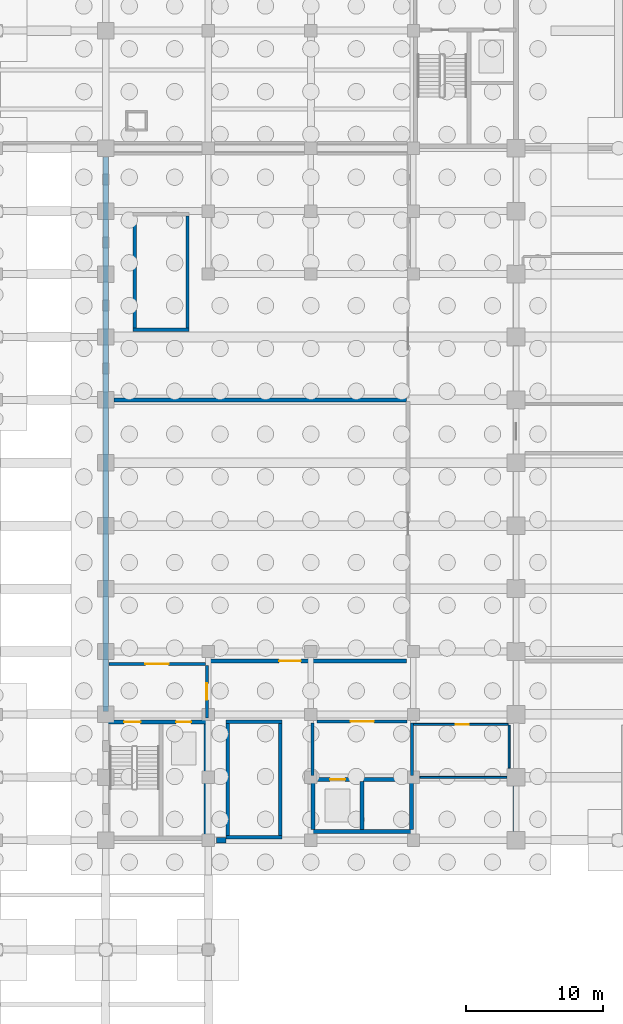
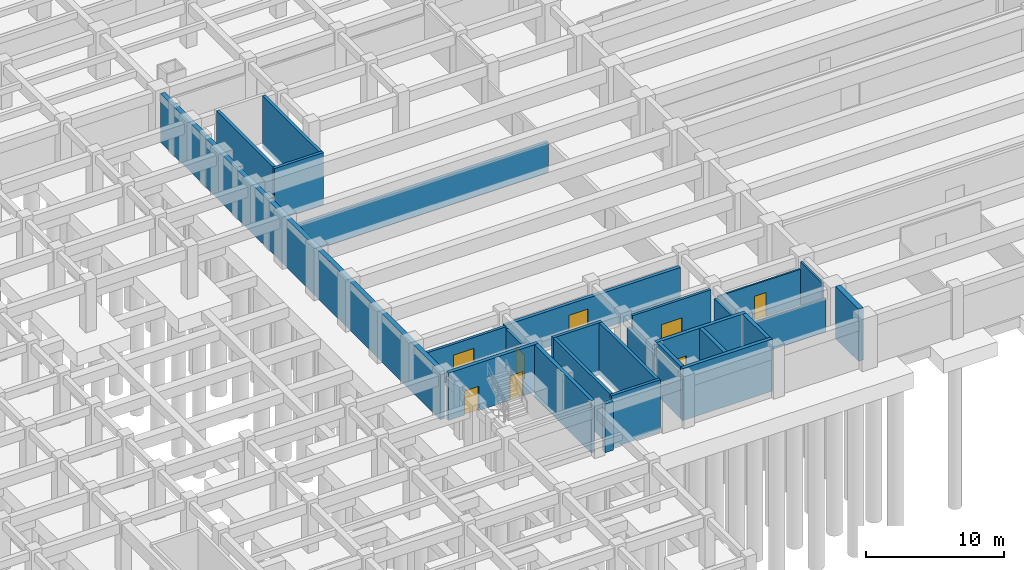
# One storey, part 21 of 32: 27 walls, 8 doors, 8 openings.
"""IFC4 building model written with IfcOpenShell, lengths in metres."""

import ifcopenshell
import ifcopenshell.guid

model = None  # the IFC model being written
_history = None  # IfcOwnerHistory: only IFC2X3 demands one
_inside = {}  # id of a spatial element -> (the spatial element, [elements in it])
_under = {}  # id of a project, library or spatial element -> (it, [spatial elements below it])
_declared = {}  # id of a project -> (the project, [libraries it declares])
_typed = {}  # id of a type object -> (the type object, [elements of that type])
_made_of = {}  # id of a material, layer set ... -> (it, [elements and type objects made of it])


def new_model(schema):
    """Start an empty IFC model of exactly this schema.

    Asked for "IFC4X3", IfcOpenShell would pick the latest addendum, in which some entities
    have other attributes; the version numbers below select the first issue.
    IFC2X3 requires an IfcOwnerHistory on every rooted entity: one is made here for all.
    """
    global model, _history
    if schema == "IFC4X3":
        model = ifcopenshell.file(schema_version=(4, 3, 0, 0))
    else:
        model = ifcopenshell.file(schema=schema)
    _inside.clear()
    _under.clear()
    _declared.clear()
    _typed.clear()
    _made_of.clear()
    _history = None
    if model.schema == "IFC2X3":
        org = make("IfcOrganization", Name="unknown")
        user = make(
            "IfcPersonAndOrganization",
            ThePerson=make("IfcPerson", FamilyName="unknown"),
            TheOrganization=org,
        )
        app = make(
            "IfcApplication",
            ApplicationDeveloper=org,
            Version="unknown",
            ApplicationFullName="unknown",
            ApplicationIdentifier="unknown",
        )
        _history = make(
            "IfcOwnerHistory",
            OwningUser=user,
            OwningApplication=app,
            ChangeAction="ADDED",
            CreationDate=0,
        )
    return model


def make(cls, **values):
    """One entity of the class cls with the attributes given. An attribute that is None is left unset."""
    return model.create_entity(
        cls, **{name: value for name, value in values.items() if value is not None}
    )


def rooted(cls, **values):
    """An entity with a GlobalId (a new one), such as an element, a storey or a relation."""
    return make(cls, GlobalId=ifcopenshell.guid.new(), OwnerHistory=_history, **values)


def si_unit(unit_type, name, prefix=None):
    """IfcSIUnit, for example si_unit("LENGTHUNIT", "METRE", prefix="MILLI")."""
    return make("IfcSIUnit", UnitType=unit_type, Prefix=prefix, Name=name)


def assignment(units):
    """IfcUnitAssignment: the units of a project."""
    return None if units is None else make("IfcUnitAssignment", Units=units)


def point(xyz):
    """IfcCartesianPoint."""
    return None if xyz is None else make("IfcCartesianPoint", Coordinates=xyz)


def direction(xyz):
    """IfcDirection."""
    return None if xyz is None else make("IfcDirection", DirectionRatios=xyz)


def frame(location, z_axis=None, x_axis=None):
    """IfcAxis2Placement3D, a coordinate frame: its origin and axes. An axis left out is left unset."""
    return make(
        "IfcAxis2Placement3D",
        Location=point(location),
        Axis=direction(z_axis),
        RefDirection=direction(x_axis),
    )


def frame_2d(location, x_axis=None):
    """IfcAxis2Placement2D, a coordinate frame in the plane: its origin and x axis."""
    return make(
        "IfcAxis2Placement2D", Location=point(location), RefDirection=direction(x_axis)
    )


def origin():
    """The frame at (0, 0, 0) with its axes left unset."""
    return frame((0.0, 0.0, 0.0))


def place(relative_to, where):
    """IfcLocalPlacement: puts the frame where relative to a parent placement (None: the world)."""
    return make(
        "IfcLocalPlacement", PlacementRelTo=relative_to, RelativePlacement=where
    )


def context(
    kind, dimensions, precision=None, world=None, true_north=None, identifier=None
):
    """IfcGeometricRepresentationContext, for example the 3D "Model" context."""
    return make(
        "IfcGeometricRepresentationContext",
        ContextIdentifier=identifier,
        ContextType=kind,
        CoordinateSpaceDimension=dimensions,
        Precision=precision,
        WorldCoordinateSystem=world,
        TrueNorth=true_north,
    )


def subcontext(parent, identifier, kind, view, scale=None):
    """IfcGeometricRepresentationSubContext, for example "Body" below "Model"."""
    return make(
        "IfcGeometricRepresentationSubContext",
        ContextIdentifier=identifier,
        ContextType=kind,
        ParentContext=parent,
        TargetScale=scale,
        TargetView=view,
    )


def project(units=None, contexts=None):
    """IfcProject with its units and contexts."""
    return rooted(
        "IfcProject",
        Name="project",
        RepresentationContexts=contexts,
        UnitsInContext=assignment(units),
    )


def spatial(cls, under=None, at=None, **own):
    """A site, building, storey or space (cls), placed at a placement, below another one or the project."""
    s = rooted(cls, ObjectPlacement=at, **own)
    if under is not None:
        _under.setdefault(under.id(), (under, []))[1].append(s)
    return s


def profile(cls, at=None, kind="AREA", **sizes):
    """A parametric profile (cls). Its sizes go by their IFC names, for example OverallWidth=200.0."""
    return make(cls, ProfileType=kind, Position=at, **sizes)


def rectangle(**sizes):
    """IfcRectangleProfileDef."""
    return profile("IfcRectangleProfileDef", **sizes)


def extrude(swept, where, along, depth):
    """IfcExtrudedAreaSolid: the profile swept, set in the frame where, extruded along a direction by depth."""
    return make(
        "IfcExtrudedAreaSolid",
        SweptArea=swept,
        Position=where,
        ExtrudedDirection=direction(along),
        Depth=depth,
    )


def shape(context_of_items, identifier, shape_type, items):
    """IfcShapeRepresentation: the items that make up one representation, for example the "Body"."""
    return make(
        "IfcShapeRepresentation",
        ContextOfItems=context_of_items,
        RepresentationIdentifier=identifier,
        RepresentationType=shape_type,
        Items=items,
    )


def material(Name=None, Category=None):
    """IfcMaterial."""
    return make("IfcMaterial", Name=Name, Category=Category)


def layer(
    of_material, thickness, ventilated=None, Name=None, Category=None, Priority=None
):
    """IfcMaterialLayer: one layer of a wall or slab, of a material (None: an air gap)."""
    return make(
        "IfcMaterialLayer",
        Material=of_material,
        LayerThickness=thickness,
        IsVentilated=ventilated,
        Name=Name,
        Category=Category,
        Priority=Priority,
    )


def layer_set(layers, Name=None):
    """IfcMaterialLayerSet."""
    return make("IfcMaterialLayerSet", MaterialLayers=layers, LayerSetName=Name)


def made_of(thing, what):
    """Note that an element or type object is made of a material, layer set ...; save() writes the relation."""
    if what is not None:
        _made_of.setdefault(what.id(), (what, []))[1].append(thing)
    return thing


def type_object(cls, material=None, **own):
    """A type object (cls), such as IfcWallType, which elements share."""
    return made_of(rooted(cls, **own), material)


def element(
    cls,
    number,
    at=None,
    inside=None,
    cuts=None,
    type_object=None,
    material=None,
    context=None,
    identifier="Body",
    shape_type=None,
    held_by="IfcProductDefinitionShape",
    body=None,
    shapes=None,
    **own,
):
    """One element of the class cls, such as IfcWall. Its Tag is "e" and its number.

    at: its placement. inside: the storey or other place that contains it. cuts: it is an
    opening in that element (IfcRelVoidsElement). A single representation is given by context,
    identifier, shape_type and body (its items); several are given by shapes. held_by: the class
    of the entity that holds the representations. save() writes the other relations.
    """
    e = rooted(cls, Tag="e%d" % number, ObjectPlacement=at, **own)
    if body is not None:
        shapes = [shape(context, identifier, shape_type, body)]
    if shapes is not None:
        e.Representation = make(held_by, Representations=shapes)
    if inside is not None:
        _inside.setdefault(inside.id(), (inside, []))[1].append(e)
    if cuts is not None:
        rooted(
            "IfcRelVoidsElement", RelatingBuildingElement=cuts, RelatedOpeningElement=e
        )
    if type_object is not None:
        _typed.setdefault(type_object.id(), (type_object, []))[1].append(e)
    return made_of(e, material)


def fill(opening, filler):
    """IfcRelFillsElement: the door or window that sits in an opening."""
    return rooted(
        "IfcRelFillsElement",
        RelatingOpeningElement=opening,
        RelatedBuildingElement=filler,
    )


def aggregate(whole, parts):
    """IfcRelAggregates: a whole, such as a stair, and the parts it consists of."""
    return rooted("IfcRelAggregates", RelatingObject=whole, RelatedObjects=parts)


def save(model, path):
    """Write the relations noted so far, then the file.

    IfcRelAggregates (storeys below a building ...), IfcRelContainedInSpatialStructure (elements
    in a storey), IfcRelDefinesByType, IfcRelAssociatesMaterial and IfcRelDeclares: one each for
    every whole, place, type object, material and project.
    """
    for whole, parts in _under.values():
        aggregate(whole, parts)
    for where, things in _inside.values():
        rooted(
            "IfcRelContainedInSpatialStructure",
            RelatedElements=things,
            RelatingStructure=where,
        )
    for kind, things in _typed.values():
        rooted("IfcRelDefinesByType", RelatedObjects=things, RelatingType=kind)
    for what, things in _made_of.values():
        rooted("IfcRelAssociatesMaterial", RelatedObjects=things, RelatingMaterial=what)
    for by, libraries in _declared.values():
        rooted("IfcRelDeclares", RelatingContext=by, RelatedDefinitions=libraries)
    model.write(path)


model = new_model("IFC4")

# Units and contexts
model_context = context("Model", 3, precision=1e-05, world=origin(), true_north=direction((0.0, 1.0)))
body_context = subcontext(model_context, "Body", "Model", "MODEL_VIEW")
ifc_project = project(units=[si_unit("LENGTHUNIT", "METRE"), si_unit("AREAUNIT", "SQUARE_METRE"), si_unit("VOLUMEUNIT", "CUBIC_METRE"), si_unit("PLANEANGLEUNIT", "RADIAN"), si_unit("MASSUNIT", "GRAM", prefix="KILO")], contexts=[model_context])

# Site, building, storey
site_placement = place(None, origin())
site = spatial("IfcSite", under=ifc_project, at=site_placement, CompositionType="ELEMENT")
building_placement = place(site_placement, origin())
building = spatial("IfcBuilding", under=site, at=building_placement, Name="Muzn Square Opera House", CompositionType="ELEMENT")
storey_placement = place(building_placement, frame((0.0, 0.0, -4.199951171875)))
storey = spatial("IfcBuildingStorey", under=building, at=storey_placement, Name="B1", CompositionType="ELEMENT", Elevation=-4.199951171875)

# Walls
ifc_material_1 = material(Name="Concrete C45/55", Category="concrete")
ifc_layer_1 = layer(ifc_material_1, 0.419921875, Name="Concrete C45/55", Category="concrete")
ifc_layer_set_1 = layer_set([ifc_layer_1], Name="Concrete C45/55")
wall_type_1 = type_object("IfcWallType", Name="Auditorium Acoustic Shear Wall 420mm", PredefinedType="SHEAR", material=ifc_layer_set_1)
wall_1_placement = place(storey_placement, frame((73.0, 22.639892578125, -0.420166015625), z_axis=(0.0, 0.0, 1.0), x_axis=(0.0, 1.0, 0.0)))
element("IfcWall", 1, at=wall_1_placement, inside=storey, type_object=wall_type_1, Name="Auditorium Acoustic Shear Wall AUDW-B1-W00", PredefinedType="SHEAR", context=body_context, shape_type="SweptSolid", body=[
    extrude(rectangle(XDim=3.320068359375, YDim=0.419921875, at=frame_2d((1.66015625, 0.0))), origin(), (0.0, 0.0, 1.0), 4.6201171875),
])
ifc_layer_2 = layer(ifc_material_1, 0.3798828125, Name="Concrete C45/55", Category="concrete")
ifc_layer_set_2 = layer_set([ifc_layer_2], Name="Concrete C45/55")
wall_type_2 = type_object("IfcWallType", Name="Basement Retaining Wall 380mm", PredefinedType="SHEAR", material=ifc_layer_set_2)
wall_2_placement = place(storey_placement, frame((43.0, 31.39990234375, -0.420166015625), z_axis=(0.0, 0.0, 1.0), x_axis=(0.0, 1.0, 0.0)))
element("IfcWall", 2, at=wall_2_placement, inside=storey, type_object=wall_type_2, Name="Basement Retaining Wall RET-B1-WS", PredefinedType="SHEAR", context=body_context, shape_type="SweptSolid", body=[
    extrude(rectangle(XDim=40.550048828125, YDim=0.3798828125, at=frame_2d((20.27490234375, 0.0))), origin(), (0.0, 0.0, 1.0), 4.300048828125),
])
wall_3_placement = place(storey_placement, frame((51.10009765625, 22.0, -0.420166015625), z_axis=(0.0, 0.0, 1.0), x_axis=(1.0, 0.0, 0.0)))
element("IfcWall", 3, at=wall_3_placement, inside=storey, type_object=wall_type_2, Name="Basement Retaining Wall RET-B1-S1", PredefinedType="SHEAR", context=body_context, shape_type="SweptSolid", body=[
    extrude(rectangle(XDim=0.679931640625, YDim=0.3798828125, at=frame_2d((0.33984375, 0.0))), origin(), (0.0, 0.0, 1.0), 4.300048828125),
])
ifc_layer_3 = layer(ifc_material_1, 0.300048828125, Name="Concrete C45/55", Category="concrete")
ifc_layer_set_3 = layer_set([ifc_layer_3], Name="Concrete C45/55")
wall_type_3 = type_object("IfcWallType", Name="Core Shear Wall 300mm", PredefinedType="SHEAR", material=ifc_layer_set_3)
wall_4_placement = place(storey_placement, frame((50.35009765625, 22.300048828125, -0.420166015625), z_axis=(0.0, 0.0, 1.0), x_axis=(0.0, 1.0, 0.0)))
element("IfcWall", 4, at=wall_4_placement, inside=storey, type_object=wall_type_3, Name="Core C3 Shear Wall SW-C3-B1-E", PredefinedType="SHEAR", context=body_context, shape_type="SweptSolid", body=[
    extrude(rectangle(XDim=8.199951171875, YDim=0.300048828125, at=frame_2d((4.10009765625, 0.0))), origin(), (0.0, 0.0, 1.0), 4.6201171875),
])
wall_5_placement = place(storey_placement, frame((58.0, 22.64990234375, -0.420166015625), z_axis=(0.0, 0.0, 1.0), x_axis=(1.0, 0.0, 0.0)))
element("IfcWall", 5, at=wall_5_placement, inside=storey, type_object=wall_type_3, Name="Lift Bank LBW Shear Wall SW-LBW-B1-S", PredefinedType="SHEAR", context=body_context, shape_type="SweptSolid", body=[
    extrude(rectangle(XDim=7.5, YDim=0.300048828125, at=frame_2d((3.75, 0.0))), origin(), (0.0, 0.0, 1.0), 4.6201171875),
])
for number, where, z_axis, x_axis, name in (
    (6, (58.14990234375, 22.800048828125, -0.420166015625), (0.0, 0.0, 1.0), (0.0, 1.0, 0.0), "Lift Bank LBW Shear Wall SW-LBW-B1-W"),
    (7, (65.35009765625, 22.800048828125, -0.420166015625), (0.0, 0.0, 1.0), (0.0, 1.0, 0.0), "Lift Bank LBW Shear Wall SW-LBW-B1-E"),
    (8, (61.75, 22.800048828125, -0.420166015625), (0.0, 0.0, 1.0), (0.0, 1.0, 0.0), "Lift Bank LBW Shear Wall SW-LBW-B1-DIV"),
):
    element("IfcWall", number, at=place(storey_placement, frame(where, z_axis=z_axis, x_axis=x_axis)), inside=storey, type_object=wall_type_3, Name=name, PredefinedType="SHEAR", context=body_context, shape_type="SweptSolid", body=[
        extrude(rectangle(XDim=3.5, YDim=0.300048828125, at=frame_2d((1.75, 0.0))), origin(), (0.0, 0.0, 1.0), 4.6201171875),
    ])
wall_6_placement = place(storey_placement, frame((45.0, 59.324951171875, -0.420166015625), z_axis=(0.0, 0.0, 1.0), x_axis=(1.0, 0.0, 0.0)))
element("IfcWall", 9, at=wall_6_placement, inside=storey, type_object=wall_type_3, Name="Escape Stair ST-9 Substructure Wall S", PredefinedType="SHEAR", context=body_context, shape_type="SweptSolid", body=[
    extrude(rectangle(XDim=4.10009765625, YDim=0.25, at=frame_2d((2.050048828125, 0.0))), origin(), (0.0, 0.0, 1.0), 4.6201171875),
])
for number, where, z_axis, x_axis, name in (
    (10, (45.125, 59.449951171875, -0.420166015625), (0.0, 0.0, 1.0), (0.0, 1.0, 0.0), "Escape Stair ST-9 Substructure Wall W"),
    (11, (48.97509765625, 59.449951171875, -0.420166015625), (0.0, 0.0, 1.0), (0.0, 1.0, 0.0), "Escape Stair ST-9 Substructure Wall E"),
):
    element("IfcWall", number, at=place(storey_placement, frame(where, z_axis=z_axis, x_axis=x_axis)), inside=storey, type_object=wall_type_3, Name=name, PredefinedType="SHEAR", context=body_context, shape_type="SweptSolid", body=[
        extrude(rectangle(XDim=8.199951171875, YDim=0.25, at=frame_2d((4.10009765625, 0.0))), origin(), (0.0, 0.0, 1.0), 4.6201171875),
    ])
wall_7_placement = place(storey_placement, frame((51.800048828125, 22.22509765625, -0.420166015625), z_axis=(0.0, 0.0, 1.0), x_axis=(1.0, 0.0, 0.0)))
element("IfcWall", 12, at=wall_7_placement, inside=storey, type_object=wall_type_3, Name="Escape Stair ST-11 Substructure Wall S", PredefinedType="SHEAR", context=body_context, shape_type="SweptSolid", body=[
    extrude(rectangle(XDim=4.099853515625, YDim=0.25, at=frame_2d((2.0498046875, 0.0))), origin(), (0.0, 0.0, 1.0), 4.6201171875),
])
for number, where, z_axis, x_axis, name in (
    (13, (51.925048828125, 22.35009765625, -0.420166015625), (0.0, 0.0, 1.0), (0.0, 1.0, 0.0), "Escape Stair ST-11 Substructure Wall W"),
    (14, (55.77490234375, 22.35009765625, -0.420166015625), (0.0, 0.0, 1.0), (0.0, 1.0, 0.0), "Escape Stair ST-11 Substructure Wall E"),
):
    element("IfcWall", number, at=place(storey_placement, frame(where, z_axis=z_axis, x_axis=x_axis)), inside=storey, type_object=wall_type_3, Name=name, PredefinedType="SHEAR", context=body_context, shape_type="SweptSolid", body=[
        extrude(rectangle(XDim=8.199951171875, YDim=0.25, at=frame_2d((4.10009765625, 0.0))), origin(), (0.0, 0.0, 1.0), 4.6201171875),
    ])
wall_8_placement = place(storey_placement, frame((51.800048828125, 30.675048828125, -0.420166015625), z_axis=(0.0, 0.0, 1.0), x_axis=(1.0, 0.0, 0.0)))
element("IfcWall", 15, at=wall_8_placement, inside=storey, type_object=wall_type_3, Name="Escape Stair ST-11 Substructure Wall N", PredefinedType="SHEAR", context=body_context, shape_type="SweptSolid", body=[
    extrude(rectangle(XDim=4.099853515625, YDim=0.25, at=frame_2d((2.0498046875, 0.0))), origin(), (0.0, 0.0, 1.0), 4.6201171875),
])

# Wall, openings, doors
wall_9_placement = place(storey_placement, frame((43.0, 30.64990234375, 0.0), z_axis=(0.0, 0.0, 1.0), x_axis=(1.0, 0.0, 0.0)))
wall_9 = element("IfcWall", 16, at=wall_9_placement, inside=storey, type_object=wall_type_3, Name="Core C3 Front Shear Wall B1", PredefinedType="SHEAR", context=body_context, shape_type="SweptSolid", body=[
    extrude(rectangle(XDim=7.5, YDim=0.300048828125, at=frame_2d((3.75, 0.0))), origin(), (0.0, 0.0, 1.0), 4.199951171875),
])
opening_1_placement = place(wall_9_placement, frame((1.35009765625, 0.0, 0.0)))
opening_1 = element("IfcOpeningElement", 17, at=opening_1_placement, cuts=wall_9, Name="Opening DR-ST12", PredefinedType="OPENING", context=body_context, shape_type="SweptSolid", body=[
    extrude(rectangle(XDim=1.199951171875, YDim=2.14990234375, at=frame_2d((0.60009765625, 1.074951171875))), frame((0.0, 0.159912109375, 0.0), z_axis=(0.0, -1.0, 0.0), x_axis=(1.0, 0.0, 0.0)), (0.0, 0.0, 1.0), 0.320068359375),
])
opening_2_placement = place(wall_9_placement, frame((5.14990234375, 0.0, 0.0)))
opening_2 = element("IfcOpeningElement", 18, at=opening_2_placement, cuts=wall_9, Name="Opening LD-01", PredefinedType="OPENING", context=body_context, shape_type="SweptSolid", body=[
    extrude(rectangle(XDim=1.10009765625, YDim=2.14990234375, at=frame_2d((0.550048828125, 1.074951171875))), frame((0.0, 0.159912109375, 0.0), z_axis=(0.0, -1.0, 0.0), x_axis=(1.0, 0.0, 0.0)), (0.0, 0.0, 1.0), 0.320068359375),
])
ifc_material_2 = material(Name="Galvanised painted steel leaf", Category="metal")
door_type_1 = type_object("IfcDoorType", Name="Core Stair Fire Door 1200x2150", OperationType="NOTDEFINED", PredefinedType="DOOR", material=ifc_material_2)
door_1_placement = place(opening_1_placement, origin())
door_1 = element("IfcDoor", 19, at=door_1_placement, inside=storey, type_object=door_type_1, Name="Core C3 Stair Door B1", OperationType="SINGLE_SWING_LEFT", OverallHeight=2.14990234375, OverallWidth=1.199951171875, PredefinedType="DOOR", context=body_context, shape_type="SweptSolid", body=[
    extrude(rectangle(XDim=1.199951171875, YDim=2.14990234375, at=frame_2d((0.60009765625, 1.074951171875))), frame((0.0, 0.02490234375, 0.0), z_axis=(0.0, -1.0, 0.0), x_axis=(1.0, 0.0, 0.0)), (0.0, 0.0, 1.0), 0.050048828125),
])
fill(opening_1, door_1)
ifc_material_3 = material(Name="Brushed stainless steel", Category="metal")
door_type_2 = type_object("IfcDoorType", Name="Lift Landing Sliding Door 1100x2150", OperationType="SLIDING_TO_LEFT", PredefinedType="DOOR", material=ifc_material_3)
door_2_placement = place(opening_2_placement, origin())
door_2 = element("IfcDoor", 20, at=door_2_placement, inside=storey, type_object=door_type_2, Name="Lift PL-1 Sliding Landing Door B1", OperationType="SLIDING_TO_LEFT", OverallHeight=2.14990234375, OverallWidth=1.10009765625, PredefinedType="DOOR", context=body_context, shape_type="SweptSolid", body=[
    extrude(rectangle(XDim=1.10009765625, YDim=2.14990234375, at=frame_2d((0.550048828125, 1.074951171875))), frame((0.0, 0.02490234375, 0.0), z_axis=(0.0, -1.0, 0.0), x_axis=(1.0, 0.0, 0.0)), (0.0, 0.0, 1.0), 0.050048828125),
])
fill(opening_2, door_2)

# Wall, opening, door
wall_10_placement = place(storey_placement, frame((58.0, 26.449951171875, 0.0), z_axis=(0.0, 0.0, 1.0), x_axis=(1.0, 0.0, 0.0)))
wall_10 = element("IfcWall", 21, at=wall_10_placement, inside=storey, type_object=wall_type_3, Name="Lift Bank LBW Front Wall B1", PredefinedType="SHEAR", context=body_context, shape_type="SweptSolid", body=[
    extrude(rectangle(XDim=7.5, YDim=0.300048828125, at=frame_2d((3.75, 0.0))), origin(), (0.0, 0.0, 1.0), 4.199951171875),
])
opening_3_placement = place(wall_10_placement, frame((1.39990234375, 0.0, 0.0)))
opening_3 = element("IfcOpeningElement", 22, at=opening_3_placement, cuts=wall_10, Name="Opening LD-01", PredefinedType="OPENING", context=body_context, shape_type="SweptSolid", body=[
    extrude(rectangle(XDim=1.10009765625, YDim=2.14990234375, at=frame_2d((0.550048828125, 1.074951171875))), frame((0.0, 0.159912109375, 0.0), z_axis=(0.0, -1.0, 0.0), x_axis=(1.0, 0.0, 0.0)), (0.0, 0.0, 1.0), 0.320068359375),
])
door_3_placement = place(opening_3_placement, origin())
door_3 = element("IfcDoor", 23, at=door_3_placement, inside=storey, type_object=door_type_2, Name="Lift PL-2 Sliding Landing Door B1", OperationType="SLIDING_TO_LEFT", OverallHeight=2.14990234375, OverallWidth=1.10009765625, PredefinedType="DOOR", context=body_context, shape_type="SweptSolid", body=[
    extrude(rectangle(XDim=1.10009765625, YDim=2.14990234375, at=frame_2d((0.550048828125, 1.074951171875))), frame((0.0, 0.02490234375, 0.0), z_axis=(0.0, -1.0, 0.0), x_axis=(1.0, 0.0, 0.0)), (0.0, 0.0, 1.0), 0.050048828125),
])
fill(opening_3, door_3)

ifc_material_4 = material(Name="Concrete C40/50", Category="concrete")
ifc_layer_4 = layer(ifc_material_4, 0.219970703125, Name="Concrete C40/50", Category="concrete")
ifc_layer_set_4 = layer_set([ifc_layer_4], Name="Concrete C40/50")
wall_type_4 = type_object("IfcWallType", Name="Lift Lobby Wall 220mm", PredefinedType="SOLIDWALL", material=ifc_layer_set_4)
wall_11_placement = place(storey_placement, frame((43.219970703125, 34.889892578125, 0.0), z_axis=(0.0, 0.0, 1.0), x_axis=(1.0, 0.0, 0.0)))
wall_11 = element("IfcWall", 24, at=wall_11_placement, inside=storey, type_object=wall_type_4, Name="Lobby C3 Enclosure Wall B1", PredefinedType="SOLIDWALL", context=body_context, shape_type="SweptSolid", body=[
    extrude(rectangle(XDim=7.06005859375, YDim=0.219970703125, at=frame_2d((3.530029296875, 0.0))), origin(), (0.0, 0.0, 1.0), 3.159912109375),
])
opening_4_placement = place(wall_11_placement, frame((2.679931640625, 0.0, 0.0)))
opening_4 = element("IfcOpeningElement", 25, at=opening_4_placement, cuts=wall_11, Name="Opening DR-LL17", PredefinedType="OPENING", context=body_context, shape_type="SweptSolid", body=[
    extrude(rectangle(XDim=1.699951171875, YDim=2.179931640625, at=frame_2d((0.85009765625, 1.08984375))), frame((0.0, 0.119873046875, 0.0), z_axis=(0.0, -1.0, 0.0), x_axis=(1.0, 0.0, 0.0)), (0.0, 0.0, 1.0), 0.239990234375),
])
ifc_material_5 = material(Name="Acoustic hardwood leaf", Category="wood")
door_type_3 = type_object("IfcDoorType", Name="Lift Lobby Double Door 1700x2180", OperationType="DOUBLE_DOOR_SINGLE_SWING", PredefinedType="DOOR", material=ifc_material_5)
door_4_placement = place(opening_4_placement, origin())
door_4 = element("IfcDoor", 26, at=door_4_placement, inside=storey, type_object=door_type_3, Name="Lobby C3 Fire Door B1", OperationType="DOUBLE_DOOR_SINGLE_SWING", OverallHeight=2.179931640625, OverallWidth=1.699951171875, PredefinedType="DOOR", context=body_context, shape_type="SweptSolid", body=[
    extrude(rectangle(XDim=1.699951171875, YDim=2.179931640625, at=frame_2d((0.85009765625, 1.08984375))), frame((0.0, 0.02490234375, 0.0), z_axis=(0.0, -1.0, 0.0), x_axis=(1.0, 0.0, 0.0)), (0.0, 0.0, 1.0), 0.050048828125),
])
fill(opening_4, door_4)

wall_12_placement = place(storey_placement, frame((50.389892578125, 30.949951171875, 0.0), z_axis=(0.0, 0.0, 1.0), x_axis=(0.0, 1.0, 0.0)))
wall_12 = element("IfcWall", 27, at=wall_12_placement, inside=storey, type_object=wall_type_4, Name="Lobby C3 Side Wall E B1", PredefinedType="SOLIDWALL", context=body_context, shape_type="SweptSolid", body=[
    extrude(rectangle(XDim=3.830078125, YDim=0.219970703125, at=frame_2d((1.9150390625, 0.0))), origin(), (0.0, 0.0, 1.0), 2.9599609375),
])
opening_5_placement = place(wall_12_placement, frame((2.514892578125, 0.0, 0.0), z_axis=(0.0, 0.0, 1.0), x_axis=(-1.0, 0.0, 0.0)))
opening_5 = element("IfcOpeningElement", 28, at=opening_5_placement, cuts=wall_12, Name="Opening DR-ST12", PredefinedType="OPENING", context=body_context, shape_type="SweptSolid", body=[
    extrude(rectangle(XDim=1.199951171875, YDim=2.14990234375, at=frame_2d((0.60009765625, 1.074951171875))), frame((0.0, 0.119873046875, 0.0), z_axis=(0.0, -1.0, 0.0), x_axis=(1.0, 0.0, 0.0)), (0.0, 0.0, 1.0), 0.239990234375),
])
door_5_placement = place(opening_5_placement, origin())
door_5 = element("IfcDoor", 29, at=door_5_placement, inside=storey, type_object=door_type_1, Name="Lobby C3 Side Door E B1", OperationType="SINGLE_SWING_RIGHT", OverallHeight=2.14990234375, OverallWidth=1.199951171875, PredefinedType="DOOR", context=body_context, shape_type="SweptSolid", body=[
    extrude(rectangle(XDim=1.199951171875, YDim=2.14990234375, at=frame_2d((0.60009765625, 1.074951171875))), frame((0.0, 0.02490234375, 0.0), z_axis=(0.0, -1.0, 0.0), x_axis=(1.0, 0.0, 0.0)), (0.0, 0.0, 1.0), 0.050048828125),
])
fill(opening_5, door_5)

wall_13_placement = place(storey_placement, frame((58.465087890625, 30.68994140625, 0.0), z_axis=(0.0, 0.0, 1.0), x_axis=(1.0, 0.0, 0.0)))
wall_13 = element("IfcWall", 30, at=wall_13_placement, inside=storey, type_object=wall_type_4, Name="Lift Lobby LBW Wall B1", PredefinedType="SOLIDWALL", context=body_context, shape_type="SweptSolid", body=[
    extrude(rectangle(XDim=6.56982421875, YDim=0.219970703125, at=frame_2d((3.284912109375, 0.0))), origin(), (0.0, 0.0, 1.0), 3.820068359375),
])
opening_6_placement = place(wall_13_placement, frame((2.43505859375, 0.0, 0.0)))
opening_6 = element("IfcOpeningElement", 31, at=opening_6_placement, cuts=wall_13, Name="Opening DR-LL17", PredefinedType="OPENING", context=body_context, shape_type="SweptSolid", body=[
    extrude(rectangle(XDim=1.699951171875, YDim=2.179931640625, at=frame_2d((0.85009765625, 1.08984375))), frame((0.0, 0.119873046875, 0.0), z_axis=(0.0, -1.0, 0.0), x_axis=(1.0, 0.0, 0.0)), (0.0, 0.0, 1.0), 0.239990234375),
])
door_6_placement = place(opening_6_placement, origin())
door_6 = element("IfcDoor", 32, at=door_6_placement, inside=storey, type_object=door_type_3, Name="Lift Lobby LBW Door B1", OperationType="DOUBLE_DOOR_SINGLE_SWING", OverallHeight=2.179931640625, OverallWidth=1.699951171875, PredefinedType="DOOR", context=body_context, shape_type="SweptSolid", body=[
    extrude(rectangle(XDim=1.699951171875, YDim=2.179931640625, at=frame_2d((0.85009765625, 1.08984375))), frame((0.0, 0.02490234375, 0.0), z_axis=(0.0, -1.0, 0.0), x_axis=(1.0, 0.0, 0.0)), (0.0, 0.0, 1.0), 0.050048828125),
])
fill(opening_6, door_6)

# Walls
for number, where, z_axis, x_axis, name in (
    (33, (58.110107421875, 26.75, 0.0), (0.0, 0.0, 1.0), (0.0, 1.0, 0.0), "Lift Lobby LBW Side Wall W B1"),
    (34, (65.389892578125, 26.75, 0.0), (0.0, 0.0, 1.0), (0.0, 1.0, 0.0), "Lift Lobby LBW Side Wall E B1"),
):
    element("IfcWall", number, at=place(storey_placement, frame(where, z_axis=z_axis, x_axis=x_axis)), inside=storey, type_object=wall_type_4, Name=name, PredefinedType="SOLIDWALL", context=body_context, shape_type="SweptSolid", body=[
        extrude(rectangle(XDim=3.830078125, YDim=0.219970703125, at=frame_2d((1.9150390625, 0.0))), origin(), (0.0, 0.0, 1.0), 2.9599609375),
    ])
ifc_layer_5 = layer(ifc_material_4, 0.280029296875, Name="Concrete C40/50", Category="concrete")
ifc_layer_set_5 = layer_set([ifc_layer_5], Name="Concrete C40/50")
wall_type_5 = type_object("IfcWallType", Name="Plant Enclosure Wall 280mm", PredefinedType="SOLIDWALL", material=ifc_layer_set_5)
wall_14_placement = place(storey_placement, frame((43.6201171875, 54.199951171875, 0.0), z_axis=(0.0, 0.0, 1.0), x_axis=(1.0, 0.0, 0.0)))
element("IfcWall", 35, at=wall_14_placement, inside=storey, type_object=wall_type_5, Name="Interior Partition PW-B1-0003", PredefinedType="SOLIDWALL", context=body_context, shape_type="SweptSolid", body=[
    extrude(rectangle(XDim=21.35498046875, YDim=0.280029296875, at=frame_2d((10.677490234375, 0.0))), origin(), (0.0, 0.0, 1.0), 2.659912109375),
])

# Wall, opening, door
wall_15_placement = place(storey_placement, frame((50.284912109375, 35.10009765625, 0.0), z_axis=(0.0, 0.0, 1.0), x_axis=(1.0, 0.0, 0.0)))
wall_15 = element("IfcWall", 36, at=wall_15_placement, inside=storey, type_object=wall_type_5, Name="Interior Partition PW-B1-0004", PredefinedType="SOLIDWALL", context=body_context, shape_type="SweptSolid", body=[
    extrude(rectangle(XDim=14.715087890625, YDim=0.280029296875, at=frame_2d((7.357421875, 0.0))), origin(), (0.0, 0.0, 1.0), 3.159912109375),
])
opening_7_placement = place(wall_15_placement, frame((5.389892578125, 0.0, 0.0)))
opening_7 = element("IfcOpeningElement", 37, at=opening_7_placement, cuts=wall_15, Name="Opening DR-PL16", PredefinedType="OPENING", context=body_context, shape_type="SweptSolid", body=[
    extrude(rectangle(XDim=1.60009765625, YDim=2.179931640625, at=frame_2d((0.800048828125, 1.08984375))), frame((0.0, 0.14990234375, 0.0), z_axis=(0.0, -1.0, 0.0), x_axis=(1.0, 0.0, 0.0)), (0.0, 0.0, 1.0), 0.300048828125),
])
door_type_4 = type_object("IfcDoorType", Name="Plant Room Double Door 1600x2180", OperationType="DOUBLE_DOOR_SINGLE_SWING", PredefinedType="DOOR", material=ifc_material_2)
door_7_placement = place(opening_7_placement, origin())
door_7 = element("IfcDoor", 38, at=door_7_placement, inside=storey, type_object=door_type_4, Name="Standby Power Hall Door DR-B1-0002", OperationType="DOUBLE_DOOR_SINGLE_SWING", OverallHeight=2.179931640625, OverallWidth=1.60009765625, PredefinedType="DOOR", context=body_context, shape_type="SweptSolid", body=[
    extrude(rectangle(XDim=1.60009765625, YDim=2.179931640625, at=frame_2d((0.800048828125, 1.08984375))), frame((0.0, 0.02490234375, 0.0), z_axis=(0.0, -1.0, 0.0), x_axis=(1.0, 0.0, 0.0)), (0.0, 0.0, 1.0), 0.050048828125),
])
fill(opening_7, door_7)

ifc_material_6 = material(Name="Acoustic gypsum stud partition", Category="gypsum")
ifc_layer_6 = layer(ifc_material_6, 0.139892578125, Name="Acoustic gypsum stud partition", Category="gypsum")
ifc_layer_set_6 = layer_set([ifc_layer_6], Name="Acoustic gypsum stud partition")
wall_type_6 = type_object("IfcWallType", Name="Wet Room Tile Partition 140mm", PredefinedType="PARTITIONING", material=ifc_layer_set_6)
wall_16_placement = place(storey_placement, frame((65.5048828125, 30.47509765625, 0.0), z_axis=(0.0, 0.0, 1.0), x_axis=(1.0, 0.0, 0.0)))
wall_16 = element("IfcWall", 39, at=wall_16_placement, inside=storey, type_object=wall_type_6, Name="Interior Partition PW-B1-0019", PredefinedType="PARTITIONING", context=body_context, shape_type="SweptSolid", body=[
    extrude(rectangle(XDim=6.920166015625, YDim=0.139892578125, at=frame_2d((3.4599609375, 0.0))), origin(), (0.0, 0.0, 1.0), 3.159912109375),
])
opening_8_placement = place(wall_16_placement, frame((3.0849609375, 0.0, 0.0)))
opening_8 = element("IfcOpeningElement", 40, at=opening_8_placement, cuts=wall_16, Name="Opening DR-AW95", PredefinedType="OPENING", context=body_context, shape_type="SweptSolid", body=[
    extrude(rectangle(XDim=0.949951171875, YDim=2.10009765625, at=frame_2d((0.47509765625, 1.050048828125))), frame((0.0, 0.079833984375, 0.0), z_axis=(0.0, -1.0, 0.0), x_axis=(1.0, 0.0, 0.0)), (0.0, 0.0, 1.0), 0.159912109375),
])
door_type_5 = type_object("IfcDoorType", Name="Accessible WC Door 950x2100", OperationType="NOTDEFINED", PredefinedType="DOOR", material=ifc_material_5)
door_8_placement = place(opening_8_placement, origin())
door_8 = element("IfcDoor", 41, at=door_8_placement, inside=storey, type_object=door_type_5, Name="Basement Accessible WC Door DR-B1-0012", OperationType="SINGLE_SWING_RIGHT", OverallHeight=2.10009765625, OverallWidth=0.949951171875, PredefinedType="DOOR", context=body_context, shape_type="SweptSolid", body=[
    extrude(rectangle(XDim=0.949951171875, YDim=2.10009765625, at=frame_2d((0.47509765625, 1.050048828125))), frame((0.0, 0.02490234375, 0.0), z_axis=(0.0, -1.0, 0.0), x_axis=(1.0, 0.0, 0.0)), (0.0, 0.0, 1.0), 0.050048828125),
])
fill(opening_8, door_8)

# Walls
wall_17_placement = place(storey_placement, frame((65.969970703125, 26.60009765625, 0.0), z_axis=(0.0, 0.0, 1.0), x_axis=(1.0, 0.0, 0.0)))
element("IfcWall", 42, at=wall_17_placement, inside=storey, type_object=wall_type_6, Name="Room Enclosure Partition PW-B1-0037", PredefinedType="PARTITIONING", context=body_context, shape_type="SweptSolid", body=[
    extrude(rectangle(XDim=6.360107421875, YDim=0.139892578125, at=frame_2d((3.18017578125, 0.0))), origin(), (0.0, 0.0, 1.0), 2.9599609375),
])
wall_18_placement = place(storey_placement, frame((72.5, 27.27001953125, 0.0), z_axis=(0.0, 0.0, 1.0), x_axis=(0.0, 1.0, 0.0)))
element("IfcWall", 43, at=wall_18_placement, inside=storey, type_object=wall_type_6, Name="Room Enclosure Partition PW-B1-0038", PredefinedType="PARTITIONING", context=body_context, shape_type="SweptSolid", body=[
    extrude(rectangle(XDim=3.14990234375, YDim=0.139892578125, at=frame_2d((1.574951171875, 0.0))), origin(), (0.0, 0.0, 1.0), 3.820068359375),
])

save(model, "model.ifc")
